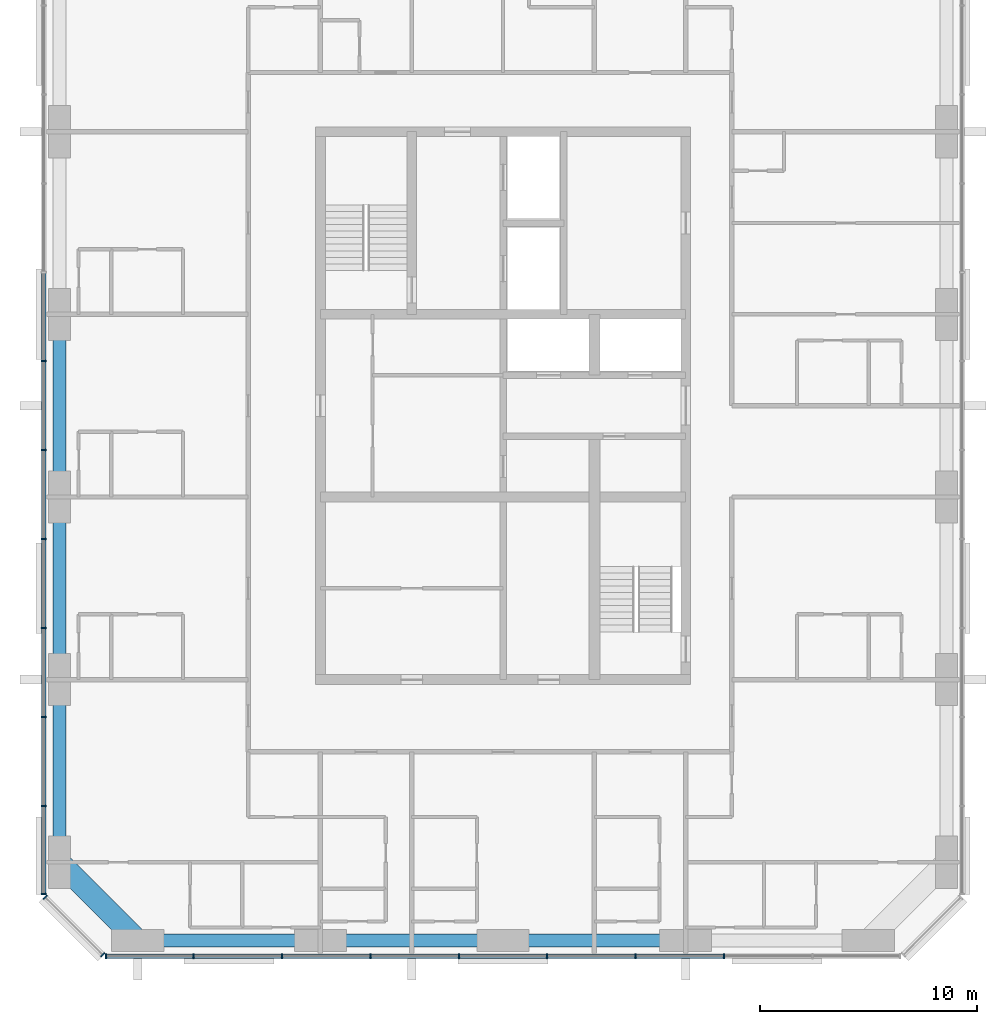
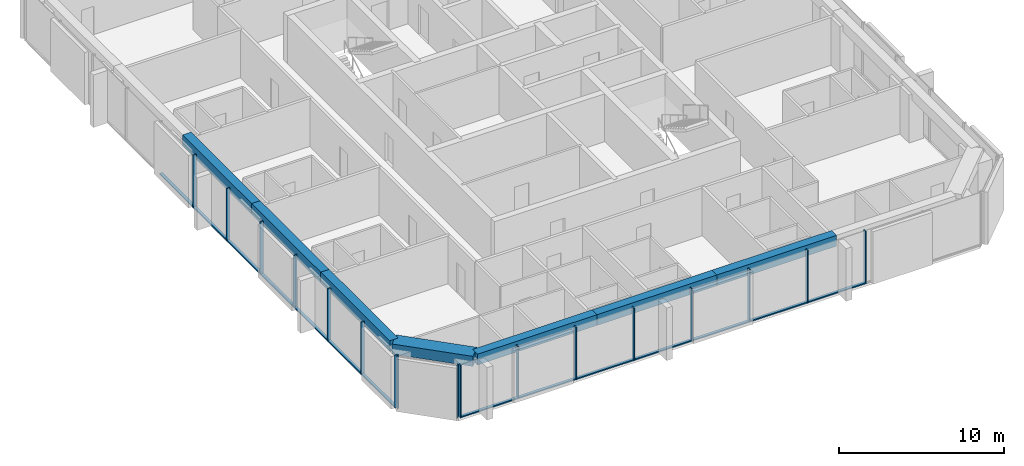
# One storey, part 2 of 12: 31 members, 7 beams, 3 elements without a shape of their own.
"""IFC4 building model written with IfcOpenShell, lengths in metres."""

import ifcopenshell
import ifcopenshell.guid

model = None  # the IFC model being written
_history = None  # IfcOwnerHistory: only IFC2X3 demands one
_inside = {}  # id of a spatial element -> (the spatial element, [elements in it])
_under = {}  # id of a project, library or spatial element -> (it, [spatial elements below it])
_declared = {}  # id of a project -> (the project, [libraries it declares])
_typed = {}  # id of a type object -> (the type object, [elements of that type])
_made_of = {}  # id of a material, layer set ... -> (it, [elements and type objects made of it])


def new_model(schema):
    """Start an empty IFC model of exactly this schema.

    Asked for "IFC4X3", IfcOpenShell would pick the latest addendum, in which some entities
    have other attributes; the version numbers below select the first issue.
    IFC2X3 requires an IfcOwnerHistory on every rooted entity: one is made here for all.
    """
    global model, _history
    if schema == "IFC4X3":
        model = ifcopenshell.file(schema_version=(4, 3, 0, 0))
    else:
        model = ifcopenshell.file(schema=schema)
    _inside.clear()
    _under.clear()
    _declared.clear()
    _typed.clear()
    _made_of.clear()
    _history = None
    if model.schema == "IFC2X3":
        org = make("IfcOrganization", Name="unknown")
        user = make(
            "IfcPersonAndOrganization",
            ThePerson=make("IfcPerson", FamilyName="unknown"),
            TheOrganization=org,
        )
        app = make(
            "IfcApplication",
            ApplicationDeveloper=org,
            Version="unknown",
            ApplicationFullName="unknown",
            ApplicationIdentifier="unknown",
        )
        _history = make(
            "IfcOwnerHistory",
            OwningUser=user,
            OwningApplication=app,
            ChangeAction="ADDED",
            CreationDate=0,
        )
    return model


def make(cls, **values):
    """One entity of the class cls with the attributes given. An attribute that is None is left unset."""
    return model.create_entity(
        cls, **{name: value for name, value in values.items() if value is not None}
    )


def rooted(cls, **values):
    """An entity with a GlobalId (a new one), such as an element, a storey or a relation."""
    return make(cls, GlobalId=ifcopenshell.guid.new(), OwnerHistory=_history, **values)


def si_unit(unit_type, name, prefix=None):
    """IfcSIUnit, for example si_unit("LENGTHUNIT", "METRE", prefix="MILLI")."""
    return make("IfcSIUnit", UnitType=unit_type, Prefix=prefix, Name=name)


def assignment(units):
    """IfcUnitAssignment: the units of a project."""
    return None if units is None else make("IfcUnitAssignment", Units=units)


def point(xyz):
    """IfcCartesianPoint."""
    return None if xyz is None else make("IfcCartesianPoint", Coordinates=xyz)


def direction(xyz):
    """IfcDirection."""
    return None if xyz is None else make("IfcDirection", DirectionRatios=xyz)


def frame(location, z_axis=None, x_axis=None):
    """IfcAxis2Placement3D, a coordinate frame: its origin and axes. An axis left out is left unset."""
    return make(
        "IfcAxis2Placement3D",
        Location=point(location),
        Axis=direction(z_axis),
        RefDirection=direction(x_axis),
    )


def frame_2d(location, x_axis=None):
    """IfcAxis2Placement2D, a coordinate frame in the plane: its origin and x axis."""
    return make(
        "IfcAxis2Placement2D", Location=point(location), RefDirection=direction(x_axis)
    )


def origin():
    """The frame at (0, 0, 0) with its axes left unset."""
    return frame((0.0, 0.0, 0.0))


def origin_2d():
    """The frame at (0, 0) in the plane with its x axis left unset."""
    return frame_2d((0.0, 0.0))


def place(relative_to, where):
    """IfcLocalPlacement: puts the frame where relative to a parent placement (None: the world)."""
    return make(
        "IfcLocalPlacement", PlacementRelTo=relative_to, RelativePlacement=where
    )


def context(
    kind, dimensions, precision=None, world=None, true_north=None, identifier=None
):
    """IfcGeometricRepresentationContext, for example the 3D "Model" context."""
    return make(
        "IfcGeometricRepresentationContext",
        ContextIdentifier=identifier,
        ContextType=kind,
        CoordinateSpaceDimension=dimensions,
        Precision=precision,
        WorldCoordinateSystem=world,
        TrueNorth=true_north,
    )


def subcontext(parent, identifier, kind, view, scale=None):
    """IfcGeometricRepresentationSubContext, for example "Body" below "Model"."""
    return make(
        "IfcGeometricRepresentationSubContext",
        ContextIdentifier=identifier,
        ContextType=kind,
        ParentContext=parent,
        TargetScale=scale,
        TargetView=view,
    )


def project(units=None, contexts=None):
    """IfcProject with its units and contexts."""
    return rooted(
        "IfcProject",
        Name="project",
        RepresentationContexts=contexts,
        UnitsInContext=assignment(units),
    )


def spatial(cls, under=None, at=None, **own):
    """A site, building, storey or space (cls), placed at a placement, below another one or the project."""
    s = rooted(cls, ObjectPlacement=at, **own)
    if under is not None:
        _under.setdefault(under.id(), (under, []))[1].append(s)
    return s


def profile(cls, at=None, kind="AREA", **sizes):
    """A parametric profile (cls). Its sizes go by their IFC names, for example OverallWidth=200.0."""
    return make(cls, ProfileType=kind, Position=at, **sizes)


def rectangle(**sizes):
    """IfcRectangleProfileDef."""
    return profile("IfcRectangleProfileDef", **sizes)


def extrude(swept, where, along, depth):
    """IfcExtrudedAreaSolid: the profile swept, set in the frame where, extruded along a direction by depth."""
    return make(
        "IfcExtrudedAreaSolid",
        SweptArea=swept,
        Position=where,
        ExtrudedDirection=direction(along),
        Depth=depth,
    )


def shape(context_of_items, identifier, shape_type, items):
    """IfcShapeRepresentation: the items that make up one representation, for example the "Body"."""
    return make(
        "IfcShapeRepresentation",
        ContextOfItems=context_of_items,
        RepresentationIdentifier=identifier,
        RepresentationType=shape_type,
        Items=items,
    )


def material(Name=None, Category=None):
    """IfcMaterial."""
    return make("IfcMaterial", Name=Name, Category=Category)


def material_profile(
    of_material, cross_section, Name=None, Category=None, Priority=None
):
    """IfcMaterialProfile: a cross section and its material."""
    return make(
        "IfcMaterialProfile",
        Name=Name,
        Material=of_material,
        Profile=cross_section,
        Priority=Priority,
        Category=Category,
    )


def profile_set(profiles, Name=None, composite=None):
    """IfcMaterialProfileSet."""
    return make(
        "IfcMaterialProfileSet",
        Name=Name,
        MaterialProfiles=profiles,
        CompositeProfile=composite,
    )


def made_of(thing, what):
    """Note that an element or type object is made of a material, layer set ...; save() writes the relation."""
    if what is not None:
        _made_of.setdefault(what.id(), (what, []))[1].append(thing)
    return thing


def type_object(cls, material=None, **own):
    """A type object (cls), such as IfcWallType, which elements share."""
    return made_of(rooted(cls, **own), material)


def element(
    cls,
    number,
    at=None,
    inside=None,
    cuts=None,
    type_object=None,
    material=None,
    context=None,
    identifier="Body",
    shape_type=None,
    held_by="IfcProductDefinitionShape",
    body=None,
    shapes=None,
    **own,
):
    """One element of the class cls, such as IfcWall. Its Tag is "e" and its number.

    at: its placement. inside: the storey or other place that contains it. cuts: it is an
    opening in that element (IfcRelVoidsElement). A single representation is given by context,
    identifier, shape_type and body (its items); several are given by shapes. held_by: the class
    of the entity that holds the representations. save() writes the other relations.
    """
    e = rooted(cls, Tag="e%d" % number, ObjectPlacement=at, **own)
    if body is not None:
        shapes = [shape(context, identifier, shape_type, body)]
    if shapes is not None:
        e.Representation = make(held_by, Representations=shapes)
    if inside is not None:
        _inside.setdefault(inside.id(), (inside, []))[1].append(e)
    if cuts is not None:
        rooted(
            "IfcRelVoidsElement", RelatingBuildingElement=cuts, RelatedOpeningElement=e
        )
    if type_object is not None:
        _typed.setdefault(type_object.id(), (type_object, []))[1].append(e)
    return made_of(e, material)


def aggregate(whole, parts):
    """IfcRelAggregates: a whole, such as a stair, and the parts it consists of."""
    return rooted("IfcRelAggregates", RelatingObject=whole, RelatedObjects=parts)


def save(model, path):
    """Write the relations noted so far, then the file.

    IfcRelAggregates (storeys below a building ...), IfcRelContainedInSpatialStructure (elements
    in a storey), IfcRelDefinesByType, IfcRelAssociatesMaterial and IfcRelDeclares: one each for
    every whole, place, type object, material and project.
    """
    for whole, parts in _under.values():
        aggregate(whole, parts)
    for where, things in _inside.values():
        rooted(
            "IfcRelContainedInSpatialStructure",
            RelatedElements=things,
            RelatingStructure=where,
        )
    for kind, things in _typed.values():
        rooted("IfcRelDefinesByType", RelatedObjects=things, RelatingType=kind)
    for what, things in _made_of.values():
        rooted("IfcRelAssociatesMaterial", RelatedObjects=things, RelatingMaterial=what)
    for by, libraries in _declared.values():
        rooted("IfcRelDeclares", RelatingContext=by, RelatedDefinitions=libraries)
    model.write(path)


model = new_model("IFC4")

# Units and contexts
model_context = context("Model", 3, precision=1e-05, world=origin(), true_north=direction((0.0, 1.0)))
body_context = subcontext(model_context, "Body", "Model", "MODEL_VIEW")
ifc_project = project(units=[si_unit("LENGTHUNIT", "METRE"), si_unit("AREAUNIT", "SQUARE_METRE"), si_unit("VOLUMEUNIT", "CUBIC_METRE"), si_unit("PLANEANGLEUNIT", "RADIAN"), si_unit("MASSUNIT", "GRAM", prefix="KILO")], contexts=[model_context])

# Site, building, storey
site_placement = place(None, origin())
site = spatial("IfcSite", under=ifc_project, at=site_placement, CompositionType="ELEMENT")
building_placement = place(site_placement, origin())
building = spatial("IfcBuilding", under=site, at=building_placement, Name="Dunama Terrace Hotel", CompositionType="ELEMENT")
storey_placement = place(building_placement, frame((0.0, 0.0, 249.0)))
storey = spatial("IfcBuildingStorey", under=building, at=storey_placement, Name="L64", CompositionType="ELEMENT", Elevation=249.0)

# Curtain wall, members
ifc_material_1 = material(Name="Aluminium curtain wall system", Category="aluminium")
curtain_wall_type = type_object("IfcCurtainWallType", Name="Unitised fritted glass wall CW-D", PredefinedType="NOTDEFINED", material=ifc_material_1)
curtain_wall_1_placement = place(storey_placement, origin())
curtain_wall_1 = element("IfcCurtainWall", 1, at=curtain_wall_1_placement, inside=storey, type_object=curtain_wall_type, Name="Unitised fritted glass wall CW-D L64", PredefinedType="NOTDEFINED")
ifc_material_2 = material(Name="Aluminium mullion", Category="aluminium")
ifc_material_profile_1 = material_profile(ifc_material_2, rectangle(XDim=0.070068359375, YDim=0.239990234375, at=origin_2d()), Name="CWD MULLION 70X240")
ifc_profile_set_1 = profile_set([ifc_material_profile_1], Name="Aluminium mullion")
member_type_1 = type_object("IfcMemberType", Name="CWD mullion 70x240", PredefinedType="MULLION", material=ifc_profile_set_1)
member_1_placement = place(storey_placement, frame((15.3349609375, 4.080078125, 0.0), z_axis=(0.0, 0.0, 1.0), x_axis=(1.0, 0.0, 0.0)))
member_1 = element("IfcMember", 2, at=member_1_placement, type_object=member_type_1, Name="CWD mullion", PredefinedType="MULLION", context=body_context, shape_type="SweptSolid", body=[
    extrude(rectangle(XDim=0.070068359375, YDim=0.239990234375, at=origin_2d()), origin(), (0.0, 0.0, 1.0), 3.89990234375),
])
member_2_placement = place(storey_placement, frame((19.366943359375, 4.080078125, 0.0), z_axis=(0.0, 0.0, 1.0), x_axis=(1.0, 0.0, 0.0)))
member_2 = element("IfcMember", 3, at=member_2_placement, type_object=member_type_1, Name="CWD mullion", PredefinedType="MULLION", context=body_context, shape_type="SweptSolid", body=[
    extrude(rectangle(XDim=0.070068359375, YDim=0.239990234375, at=origin_2d()), origin(), (0.0, 0.0, 1.0), 3.89990234375),
])
member_3_placement = place(storey_placement, frame((23.43310546875, 4.080078125, 0.0), z_axis=(0.0, 0.0, 1.0), x_axis=(1.0, 0.0, 0.0)))
member_3 = element("IfcMember", 4, at=member_3_placement, type_object=member_type_1, Name="CWD mullion", PredefinedType="MULLION", context=body_context, shape_type="SweptSolid", body=[
    extrude(rectangle(XDim=0.070068359375, YDim=0.239990234375, at=origin_2d()), origin(), (0.0, 0.0, 1.0), 3.89990234375),
])
member_4_placement = place(storey_placement, frame((27.5, 4.080078125, 0.0), z_axis=(0.0, 0.0, 1.0), x_axis=(1.0, 0.0, 0.0)))
member_4 = element("IfcMember", 5, at=member_4_placement, type_object=member_type_1, Name="CWD mullion", PredefinedType="MULLION", context=body_context, shape_type="SweptSolid", body=[
    extrude(rectangle(XDim=0.070068359375, YDim=0.239990234375, at=origin_2d()), origin(), (0.0, 0.0, 1.0), 3.89990234375),
])
member_5_placement = place(storey_placement, frame((31.56689453125, 4.080078125, 0.0), z_axis=(0.0, 0.0, 1.0), x_axis=(1.0, 0.0, 0.0)))
member_5 = element("IfcMember", 6, at=member_5_placement, type_object=member_type_1, Name="CWD mullion", PredefinedType="MULLION", context=body_context, shape_type="SweptSolid", body=[
    extrude(rectangle(XDim=0.070068359375, YDim=0.239990234375, at=origin_2d()), origin(), (0.0, 0.0, 1.0), 3.89990234375),
])
member_6_placement = place(storey_placement, frame((35.633056640625, 4.080078125, 0.0), z_axis=(0.0, 0.0, 1.0), x_axis=(1.0, 0.0, 0.0)))
member_6 = element("IfcMember", 7, at=member_6_placement, type_object=member_type_1, Name="CWD mullion", PredefinedType="MULLION", context=body_context, shape_type="SweptSolid", body=[
    extrude(rectangle(XDim=0.070068359375, YDim=0.239990234375, at=origin_2d()), origin(), (0.0, 0.0, 1.0), 3.89990234375),
])
member_7_placement = place(storey_placement, frame((39.699951171875, 4.080078125, 0.0), z_axis=(0.0, 0.0, 1.0), x_axis=(1.0, 0.0, 0.0)))
member_7 = element("IfcMember", 8, at=member_7_placement, type_object=member_type_1, Name="CWD mullion", PredefinedType="MULLION", context=body_context, shape_type="SweptSolid", body=[
    extrude(rectangle(XDim=0.070068359375, YDim=0.239990234375, at=origin_2d()), origin(), (0.0, 0.0, 1.0), 3.89990234375),
])
member_8_placement = place(storey_placement, frame((43.76708984375, 4.080078125, 0.0), z_axis=(0.0, 0.0, 1.0), x_axis=(1.0, 0.0, 0.0)))
member_8 = element("IfcMember", 9, at=member_8_placement, type_object=member_type_1, Name="CWD mullion", PredefinedType="MULLION", context=body_context, shape_type="SweptSolid", body=[
    extrude(rectangle(XDim=0.070068359375, YDim=0.239990234375, at=origin_2d()), origin(), (0.0, 0.0, 1.0), 3.89990234375),
])

curtain_wall_2_placement = place(storey_placement, origin())
curtain_wall_2 = element("IfcCurtainWall", 10, at=curtain_wall_2_placement, inside=storey, type_object=curtain_wall_type, Name="Unitised fritted glass wall CW-D L64", PredefinedType="NOTDEFINED")
member_9_placement = place(storey_placement, frame((12.47998046875, 31.445068359375, 0.0), z_axis=(0.0, 0.0, 1.0), x_axis=(0.0, -1.0, 0.0)))
member_9 = element("IfcMember", 11, at=member_9_placement, type_object=member_type_1, Name="CWD mullion", PredefinedType="MULLION", context=body_context, shape_type="SweptSolid", body=[
    extrude(rectangle(XDim=0.070068359375, YDim=0.239990234375, at=origin_2d()), origin(), (0.0, 0.0, 1.0), 3.89990234375),
])
member_10_placement = place(storey_placement, frame((12.47998046875, 27.35498046875, 0.0), z_axis=(0.0, 0.0, 1.0), x_axis=(0.0, -1.0, 0.0)))
member_10 = element("IfcMember", 12, at=member_10_placement, type_object=member_type_1, Name="CWD mullion", PredefinedType="MULLION", context=body_context, shape_type="SweptSolid", body=[
    extrude(rectangle(XDim=0.070068359375, YDim=0.239990234375, at=origin_2d()), origin(), (0.0, 0.0, 1.0), 3.89990234375),
])
member_11_placement = place(storey_placement, frame((12.47998046875, 23.263916015625, 0.0), z_axis=(0.0, 0.0, 1.0), x_axis=(0.0, -1.0, 0.0)))
member_11 = element("IfcMember", 13, at=member_11_placement, type_object=member_type_1, Name="CWD mullion", PredefinedType="MULLION", context=body_context, shape_type="SweptSolid", body=[
    extrude(rectangle(XDim=0.070068359375, YDim=0.239990234375, at=origin_2d()), origin(), (0.0, 0.0, 1.0), 3.89990234375),
])
member_12_placement = place(storey_placement, frame((12.47998046875, 19.173095703125, 0.0), z_axis=(0.0, 0.0, 1.0), x_axis=(0.0, -1.0, 0.0)))
member_12 = element("IfcMember", 14, at=member_12_placement, type_object=member_type_1, Name="CWD mullion", PredefinedType="MULLION", context=body_context, shape_type="SweptSolid", body=[
    extrude(rectangle(XDim=0.070068359375, YDim=0.239990234375, at=origin_2d()), origin(), (0.0, 0.0, 1.0), 3.89990234375),
])
member_13_placement = place(storey_placement, frame((12.47998046875, 15.08203125, 0.0), z_axis=(0.0, 0.0, 1.0), x_axis=(0.0, -1.0, 0.0)))
member_13 = element("IfcMember", 15, at=member_13_placement, type_object=member_type_1, Name="CWD mullion", PredefinedType="MULLION", context=body_context, shape_type="SweptSolid", body=[
    extrude(rectangle(XDim=0.070068359375, YDim=0.239990234375, at=origin_2d()), origin(), (0.0, 0.0, 1.0), 3.89990234375),
])
member_14_placement = place(storey_placement, frame((12.47998046875, 10.990966796875, 0.0), z_axis=(0.0, 0.0, 1.0), x_axis=(0.0, -1.0, 0.0)))
member_14 = element("IfcMember", 16, at=member_14_placement, type_object=member_type_1, Name="CWD mullion", PredefinedType="MULLION", context=body_context, shape_type="SweptSolid", body=[
    extrude(rectangle(XDim=0.070068359375, YDim=0.239990234375, at=origin_2d()), origin(), (0.0, 0.0, 1.0), 3.89990234375),
])
member_15_placement = place(storey_placement, frame((12.47998046875, 6.93505859375, 0.0), z_axis=(0.0, 0.0, 1.0), x_axis=(0.0, -1.0, 0.0)))
member_15 = element("IfcMember", 17, at=member_15_placement, type_object=member_type_1, Name="CWD mullion", PredefinedType="MULLION", context=body_context, shape_type="SweptSolid", body=[
    extrude(rectangle(XDim=0.070068359375, YDim=0.239990234375, at=origin_2d()), origin(), (0.0, 0.0, 1.0), 3.89990234375),
])

curtain_wall_3_placement = place(storey_placement, origin())
curtain_wall_3 = element("IfcCurtainWall", 18, at=curtain_wall_3_placement, inside=storey, type_object=curtain_wall_type, Name="Unitised fritted glass wall CW-D L64", PredefinedType="NOTDEFINED")
member_16_placement = place(storey_placement, frame((12.5400390625, 6.7900390625, 0.0), z_axis=(0.0, 0.0, 1.0), x_axis=(0.707106781187, -0.707106781187, 0.0)))
member_16 = element("IfcMember", 19, at=member_16_placement, type_object=member_type_1, Name="CWD mullion", PredefinedType="MULLION", context=body_context, shape_type="SweptSolid", body=[
    extrude(rectangle(XDim=0.070068359375, YDim=0.239990234375, at=origin_2d()), origin(), (0.0, 0.0, 1.0), 3.89990234375),
])
member_17_placement = place(storey_placement, frame((15.18994140625, 4.139892578125, 0.0), z_axis=(0.0, 0.0, 1.0), x_axis=(0.707106781187, -0.707106781187, 0.0)))
member_17 = element("IfcMember", 20, at=member_17_placement, type_object=member_type_1, Name="CWD mullion", PredefinedType="MULLION", context=body_context, shape_type="SweptSolid", body=[
    extrude(rectangle(XDim=0.070068359375, YDim=0.239990234375, at=origin_2d()), origin(), (0.0, 0.0, 1.0), 3.89990234375),
])
aggregate(curtain_wall_3, [member_16, member_17])

# Member
ifc_material_3 = material(Name="Aluminium transom", Category="aluminium")
ifc_material_profile_2 = material_profile(ifc_material_3, rectangle(XDim=0.199951171875, YDim=0.0849609375, at=origin_2d()), Name="CWD TRANSOM 200X85")
ifc_profile_set_2 = profile_set([ifc_material_profile_2], Name="Aluminium transom")
member_type_2 = type_object("IfcMemberType", Name="CWD transom 200x85", PredefinedType="USERDEFINED", material=ifc_profile_set_2)
member_18_placement = place(storey_placement, frame((15.3701171875, 4.080078125, 0.04248046875), z_axis=(1.0, 0.0, 0.0), x_axis=(0.0, 1.0, 0.0)))
member_18 = element("IfcMember", 21, at=member_18_placement, type_object=member_type_2, Name="CWD transom", ObjectType="TRANSOM", PredefinedType="USERDEFINED", context=body_context, shape_type="SweptSolid", body=[
    extrude(rectangle(XDim=0.199951171875, YDim=0.0849609375, at=origin_2d()), origin(), (0.0, 0.0, 1.0), 3.9619140625),
])

member_19_placement = place(storey_placement, frame((19.402099609375, 4.080078125, 0.04248046875), z_axis=(1.0, 0.0, 0.0), x_axis=(0.0, 1.0, 0.0)))
member_19 = element("IfcMember", 22, at=member_19_placement, type_object=member_type_2, Name="CWD transom", ObjectType="TRANSOM", PredefinedType="USERDEFINED", context=body_context, shape_type="SweptSolid", body=[
    extrude(rectangle(XDim=0.199951171875, YDim=0.0849609375, at=origin_2d()), origin(), (0.0, 0.0, 1.0), 3.995849609375),
])

member_20_placement = place(storey_placement, frame((23.468017578125, 4.080078125, 0.04248046875), z_axis=(1.0, 0.0, 0.0), x_axis=(0.0, 1.0, 0.0)))
member_20 = element("IfcMember", 23, at=member_20_placement, type_object=member_type_2, Name="CWD transom", ObjectType="TRANSOM", PredefinedType="USERDEFINED", context=body_context, shape_type="SweptSolid", body=[
    extrude(rectangle(XDim=0.199951171875, YDim=0.0849609375, at=origin_2d()), origin(), (0.0, 0.0, 1.0), 3.9970703125),
])

member_21_placement = place(storey_placement, frame((27.534912109375, 4.080078125, 0.04248046875), z_axis=(1.0, 0.0, 0.0), x_axis=(0.0, 1.0, 0.0)))
member_21 = element("IfcMember", 24, at=member_21_placement, type_object=member_type_2, Name="CWD transom", ObjectType="TRANSOM", PredefinedType="USERDEFINED", context=body_context, shape_type="SweptSolid", body=[
    extrude(rectangle(XDim=0.199951171875, YDim=0.0849609375, at=origin_2d()), origin(), (0.0, 0.0, 1.0), 3.9970703125),
])

member_22_placement = place(storey_placement, frame((31.60205078125, 4.080078125, 0.04248046875), z_axis=(1.0, 0.0, 0.0), x_axis=(0.0, 1.0, 0.0)))
member_22 = element("IfcMember", 25, at=member_22_placement, type_object=member_type_2, Name="CWD transom", ObjectType="TRANSOM", PredefinedType="USERDEFINED", context=body_context, shape_type="SweptSolid", body=[
    extrude(rectangle(XDim=0.199951171875, YDim=0.0849609375, at=origin_2d()), origin(), (0.0, 0.0, 1.0), 3.995849609375),
])

member_23_placement = place(storey_placement, frame((35.66796875, 4.080078125, 0.04248046875), z_axis=(1.0, 0.0, 0.0), x_axis=(0.0, 1.0, 0.0)))
member_23 = element("IfcMember", 26, at=member_23_placement, type_object=member_type_2, Name="CWD transom", ObjectType="TRANSOM", PredefinedType="USERDEFINED", context=body_context, shape_type="SweptSolid", body=[
    extrude(rectangle(XDim=0.199951171875, YDim=0.0849609375, at=origin_2d()), origin(), (0.0, 0.0, 1.0), 3.9970703125),
])

member_24_placement = place(storey_placement, frame((39.735107421875, 4.080078125, 0.04248046875), z_axis=(1.0, 0.0, 0.0), x_axis=(0.0, 1.0, 0.0)))
member_24 = element("IfcMember", 27, at=member_24_placement, type_object=member_type_2, Name="CWD transom", ObjectType="TRANSOM", PredefinedType="USERDEFINED", context=body_context, shape_type="SweptSolid", body=[
    extrude(rectangle(XDim=0.199951171875, YDim=0.0849609375, at=origin_2d()), origin(), (0.0, 0.0, 1.0), 3.996826171875),
])

aggregate(curtain_wall_1, [member_1, member_2, member_3, member_4, member_5, member_6, member_7, member_8, member_18, member_19, member_20, member_21, member_22, member_23, member_24])

member_25_placement = place(storey_placement, frame((12.47998046875, 35.5009765625, 0.04248046875), z_axis=(0.0, -1.0, 0.0), x_axis=(1.0, 0.0, 0.0)))
member_25 = element("IfcMember", 28, at=member_25_placement, type_object=member_type_2, Name="CWD transom", ObjectType="TRANSOM", PredefinedType="USERDEFINED", context=body_context, shape_type="SweptSolid", body=[
    extrude(rectangle(XDim=0.199951171875, YDim=0.0849609375, at=origin_2d()), origin(), (0.0, 0.0, 1.0), 4.02099609375),
])

member_26_placement = place(storey_placement, frame((12.47998046875, 31.409912109375, 0.04248046875), z_axis=(0.0, -1.0, 0.0), x_axis=(1.0, 0.0, 0.0)))
member_26 = element("IfcMember", 29, at=member_26_placement, type_object=member_type_2, Name="CWD transom", ObjectType="TRANSOM", PredefinedType="USERDEFINED", context=body_context, shape_type="SweptSolid", body=[
    extrude(rectangle(XDim=0.199951171875, YDim=0.0849609375, at=origin_2d()), origin(), (0.0, 0.0, 1.0), 4.02001953125),
])

member_27_placement = place(storey_placement, frame((12.47998046875, 27.320068359375, 0.04248046875), z_axis=(0.0, -1.0, 0.0), x_axis=(1.0, 0.0, 0.0)))
member_27 = element("IfcMember", 30, at=member_27_placement, type_object=member_type_2, Name="CWD transom", ObjectType="TRANSOM", PredefinedType="USERDEFINED", context=body_context, shape_type="SweptSolid", body=[
    extrude(rectangle(XDim=0.199951171875, YDim=0.0849609375, at=origin_2d()), origin(), (0.0, 0.0, 1.0), 4.02099609375),
])

member_28_placement = place(storey_placement, frame((12.47998046875, 23.22900390625, 0.04248046875), z_axis=(0.0, -1.0, 0.0), x_axis=(1.0, 0.0, 0.0)))
member_28 = element("IfcMember", 31, at=member_28_placement, type_object=member_type_2, Name="CWD transom", ObjectType="TRANSOM", PredefinedType="USERDEFINED", context=body_context, shape_type="SweptSolid", body=[
    extrude(rectangle(XDim=0.199951171875, YDim=0.0849609375, at=origin_2d()), origin(), (0.0, 0.0, 1.0), 4.02099609375),
])

member_29_placement = place(storey_placement, frame((12.47998046875, 19.137939453125, 0.04248046875), z_axis=(0.0, -1.0, 0.0), x_axis=(1.0, 0.0, 0.0)))
member_29 = element("IfcMember", 32, at=member_29_placement, type_object=member_type_2, Name="CWD transom", ObjectType="TRANSOM", PredefinedType="USERDEFINED", context=body_context, shape_type="SweptSolid", body=[
    extrude(rectangle(XDim=0.199951171875, YDim=0.0849609375, at=origin_2d()), origin(), (0.0, 0.0, 1.0), 4.02099609375),
])

member_30_placement = place(storey_placement, frame((12.47998046875, 15.047119140625, 0.04248046875), z_axis=(0.0, -1.0, 0.0), x_axis=(1.0, 0.0, 0.0)))
member_30 = element("IfcMember", 33, at=member_30_placement, type_object=member_type_2, Name="CWD transom", ObjectType="TRANSOM", PredefinedType="USERDEFINED", context=body_context, shape_type="SweptSolid", body=[
    extrude(rectangle(XDim=0.199951171875, YDim=0.0849609375, at=origin_2d()), origin(), (0.0, 0.0, 1.0), 4.021240234375),
])

member_31_placement = place(storey_placement, frame((12.47998046875, 10.9560546875, 0.04248046875), z_axis=(0.0, -1.0, 0.0), x_axis=(1.0, 0.0, 0.0)))
member_31 = element("IfcMember", 34, at=member_31_placement, type_object=member_type_2, Name="CWD transom", ObjectType="TRANSOM", PredefinedType="USERDEFINED", context=body_context, shape_type="SweptSolid", body=[
    extrude(rectangle(XDim=0.199951171875, YDim=0.0849609375, at=origin_2d()), origin(), (0.0, 0.0, 1.0), 3.986083984375),
])

aggregate(curtain_wall_2, [member_9, member_10, member_11, member_12, member_13, member_14, member_15, member_25, member_26, member_27, member_28, member_29, member_30, member_31])

# Beams
ifc_material_4 = material(Name="Concrete C50/60", Category="concrete")
ifc_material_profile_3 = material_profile(ifc_material_4, rectangle(XDim=1.0, YDim=0.75, at=origin_2d()), Name="RC 1000x750")
ifc_profile_set_3 = profile_set([ifc_material_profile_3], Name="Concrete C50/60")
beam_type_1 = type_object("IfcBeamType", Name="Edge beam RC 1000x750", PredefinedType="SPANDREL", material=ifc_profile_set_3)
beam_1_placement = place(storey_placement, frame((16.800048828125, 4.800048828125, 3.52490234375), z_axis=(-0.707130757816, 0.707082803744, 0.0), x_axis=(-0.707082803744, -0.707130757816, 0.0)))
element("IfcBeam", 35, at=beam_1_placement, inside=storey, type_object=beam_type_1, Name="Corner edge beam under L65", PredefinedType="SPANDREL", context=body_context, shape_type="SweptSolid", body=[
    extrude(rectangle(XDim=1.0, YDim=0.75, at=origin_2d()), origin(), (0.0, 0.0, 1.0), 5.091064453125),
])
ifc_material_5 = material(Name="Concrete C40/50", Category="concrete")
ifc_material_profile_4 = material_profile(ifc_material_5, rectangle(XDim=0.60009765625, YDim=0.800048828125, at=origin_2d()), Name="RC 600x800")
ifc_profile_set_4 = profile_set([ifc_material_profile_4], Name="Concrete C40/50")
beam_type_2 = type_object("IfcBeamType", Name="Edge beam RC 600x800", PredefinedType="SPANDREL", material=ifc_profile_set_4)
beam_2_placement = place(storey_placement, frame((13.199951171875, 8.39990234375, 3.5), z_axis=(0.0, 1.0, 0.0), x_axis=(-1.0, 0.0, 0.0)))
element("IfcBeam", 36, at=beam_2_placement, inside=storey, type_object=beam_type_2, Name="Edge beam under L65", PredefinedType="SPANDREL", context=body_context, shape_type="SweptSolid", body=[
    extrude(rectangle(XDim=0.60009765625, YDim=0.800048828125, at=origin_2d()), origin(), (0.0, 0.0, 1.0), 8.400146484375),
])
beam_3_placement = place(storey_placement, frame((13.199951171875, 16.800048828125, 3.5), z_axis=(0.0, 1.0, 0.0), x_axis=(-1.0, 0.0, 0.0)))
element("IfcBeam", 37, at=beam_3_placement, inside=storey, type_object=beam_type_2, Name="Edge beam under L65", PredefinedType="SPANDREL", context=body_context, shape_type="SweptSolid", body=[
    extrude(rectangle(XDim=0.60009765625, YDim=0.800048828125, at=origin_2d()), origin(), (0.0, 0.0, 1.0), 8.39990234375),
])
beam_4_placement = place(storey_placement, frame((13.199951171875, 25.199951171875, 3.5), z_axis=(0.0, 1.0, 0.0), x_axis=(-1.0, 0.0, 0.0)))
element("IfcBeam", 38, at=beam_4_placement, inside=storey, type_object=beam_type_2, Name="Edge beam under L65", PredefinedType="SPANDREL", context=body_context, shape_type="SweptSolid", body=[
    extrude(rectangle(XDim=0.60009765625, YDim=0.800048828125, at=origin_2d()), origin(), (0.0, 0.0, 1.0), 8.400146484375),
])
beam_5_placement = place(storey_placement, frame((16.800048828125, 4.800048828125, 3.5), z_axis=(1.0, 0.0, 0.0), x_axis=(0.0, 1.0, 0.0)))
element("IfcBeam", 39, at=beam_5_placement, inside=storey, type_object=beam_type_2, Name="Edge beam under L65", PredefinedType="SPANDREL", context=body_context, shape_type="SweptSolid", body=[
    extrude(rectangle(XDim=0.60009765625, YDim=0.800048828125, at=origin_2d()), origin(), (0.0, 0.0, 1.0), 8.39990234375),
])
beam_6_placement = place(storey_placement, frame((25.199951171875, 4.800048828125, 3.5), z_axis=(1.0, 0.0, 0.0), x_axis=(0.0, 1.0, 0.0)))
element("IfcBeam", 40, at=beam_6_placement, inside=storey, type_object=beam_type_2, Name="Edge beam under L65", PredefinedType="SPANDREL", context=body_context, shape_type="SweptSolid", body=[
    extrude(rectangle(XDim=0.60009765625, YDim=0.800048828125, at=origin_2d()), origin(), (0.0, 0.0, 1.0), 8.400146484375),
])
beam_7_placement = place(storey_placement, frame((33.60009765625, 4.800048828125, 3.5), z_axis=(1.0, 0.0, 0.0), x_axis=(0.0, 1.0, 0.0)))
element("IfcBeam", 41, at=beam_7_placement, inside=storey, type_object=beam_type_2, Name="Edge beam under L65", PredefinedType="SPANDREL", context=body_context, shape_type="SweptSolid", body=[
    extrude(rectangle(XDim=0.60009765625, YDim=0.800048828125, at=origin_2d()), origin(), (0.0, 0.0, 1.0), 8.39990234375),
])

save(model, "model.ifc")
